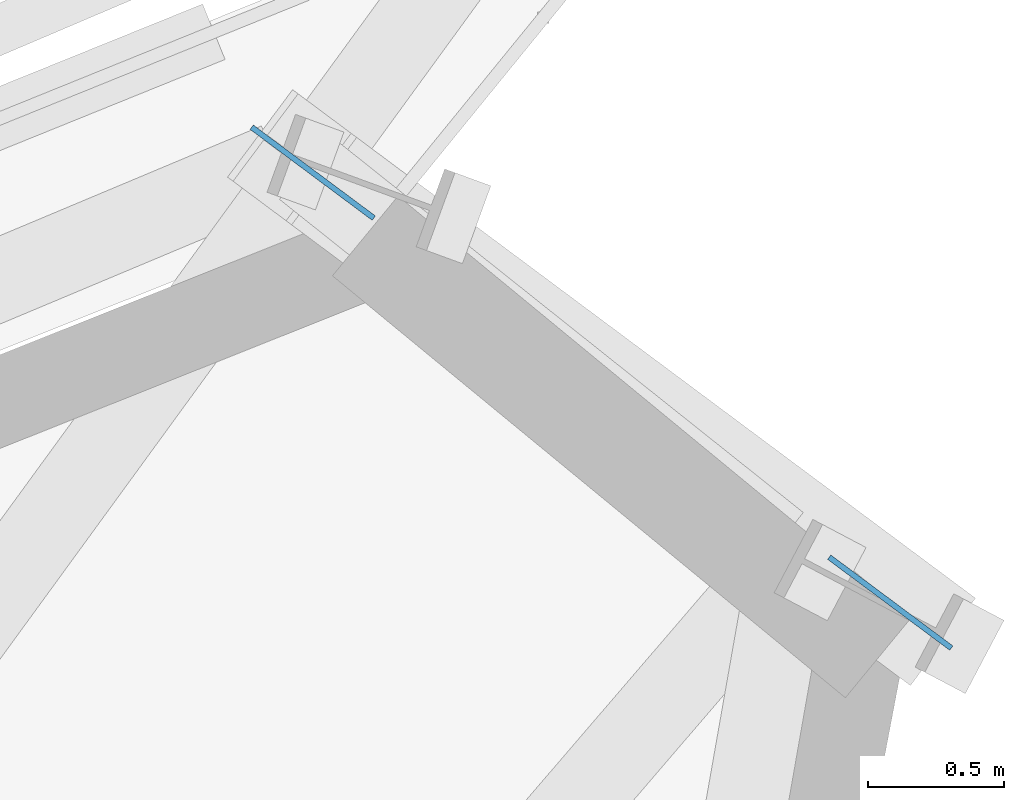
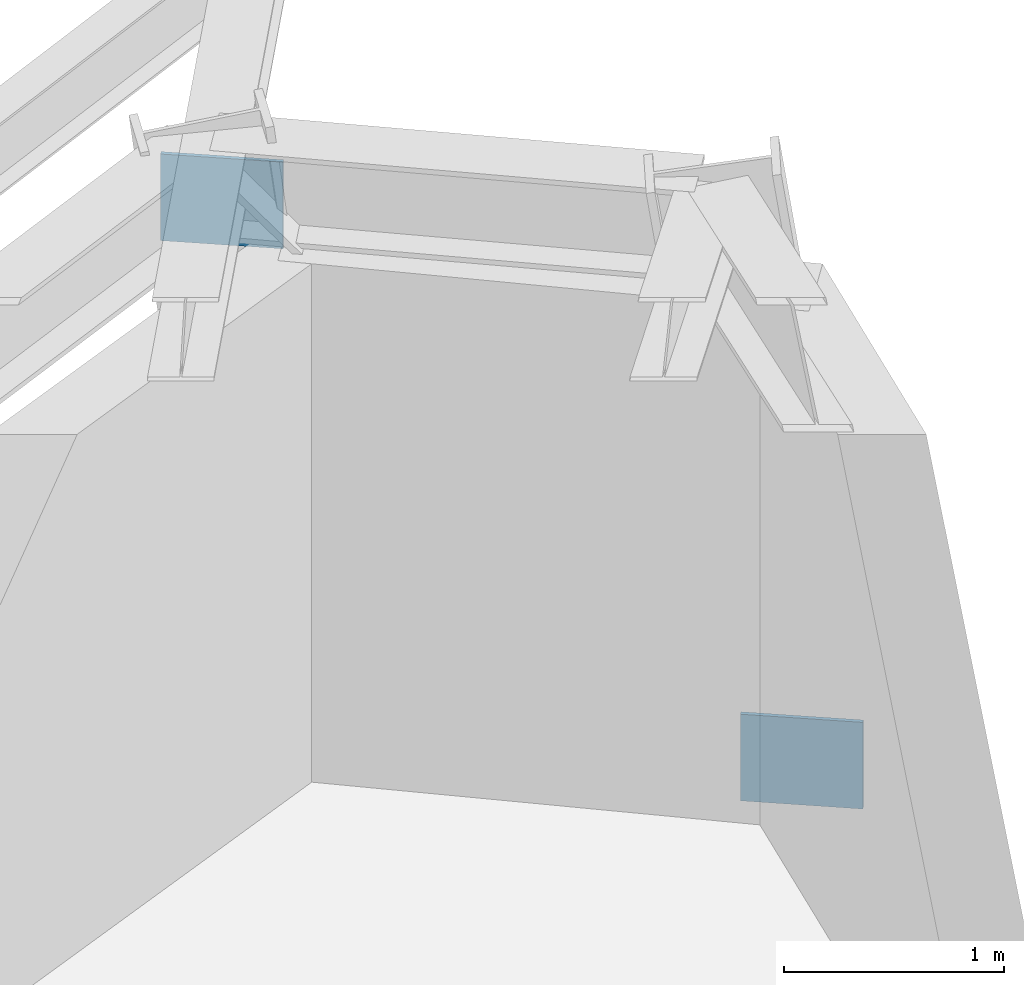
# One storey, part 7 of 13: 2 plates.
"""IFC4 building model written with IfcOpenShell, lengths in metres."""

from ifc_helpers import new_model, si_unit, direction, frame, origin, origin_2d, place, context, subcontext, project, spatial, rectangle, extrude, source, transform, mapped, material, type_object, element, save


model = new_model("IFC4")

# Units and contexts
model_context = context("Model", 3, precision=1e-05, world=origin(), true_north=direction((0.0, 1.0)))
body_context = subcontext(model_context, "Body", "Model", "MODEL_VIEW")
ifc_project = project(units=[si_unit("LENGTHUNIT", "METRE"), si_unit("AREAUNIT", "SQUARE_METRE"), si_unit("VOLUMEUNIT", "CUBIC_METRE"), si_unit("PLANEANGLEUNIT", "RADIAN"), si_unit("MASSUNIT", "GRAM", prefix="KILO")], contexts=[model_context])

# Site, building, storey
site_placement = place(None, origin())
site = spatial("IfcSite", under=ifc_project, at=site_placement, CompositionType="ELEMENT")
building_placement = place(site_placement, origin())
building = spatial("IfcBuilding", under=site, at=building_placement, Name="Olszyna Solenne Hotel", CompositionType="ELEMENT")
storey_placement = place(building_placement, frame((0.0, 0.0, 241.699951171875)))
storey = spatial("IfcBuildingStorey", under=building, at=storey_placement, Name="L64", CompositionType="ELEMENT", Elevation=241.699951171875)

# Plates
ifc_material = material(Name="Steel S355J2", Category="steel")
plate_type = type_object("IfcPlateType", Name="GP-ND2", PredefinedType="USERDEFINED", material=ifc_material)
shared_shape = source(origin(), body_context, "Body", "SweptSolid", [
    extrude(rectangle(XDim=0.56005859375, YDim=0.02001953125, at=origin_2d()), origin(), (0.0, 0.0, 1.0), 0.47998046875),
])
for number, where, z_axis, x_axis, name in (
    (1, (56.7001953125, 47.7822265625, -0.126708984375), (0.0, 0.0, 1.0), (-0.802088450119, 0.597205256328, 0.0), "Brace end connection gusset plate GP-ND2 EP-BR-L64-1-1"),
    (2, (54.574951171875, 49.364501953125, 2.761962890625), (0.0, 0.0, 1.0), (-0.802088450119, 0.597205256328, 0.0), "Brace end connection gusset plate GP-ND2 EP-BR-L64-1-2"),
):
    element("IfcPlate", number, at=place(storey_placement, frame(where, z_axis=z_axis, x_axis=x_axis)), inside=storey, type_object=plate_type, Name=name, ObjectType="GUSSET_PLATE", PredefinedType="USERDEFINED", context=body_context, shape_type="MappedRepresentation", body=[
        mapped(shared_shape, transform((0.0, 0.0, 0.0), x_axis=(1.0, 0.0, 0.0), y_axis=(0.0, 1.0, 0.0), z_axis=(0.0, 0.0, 1.0), scale=1.0)),
    ])

save(model, "model.ifc")
